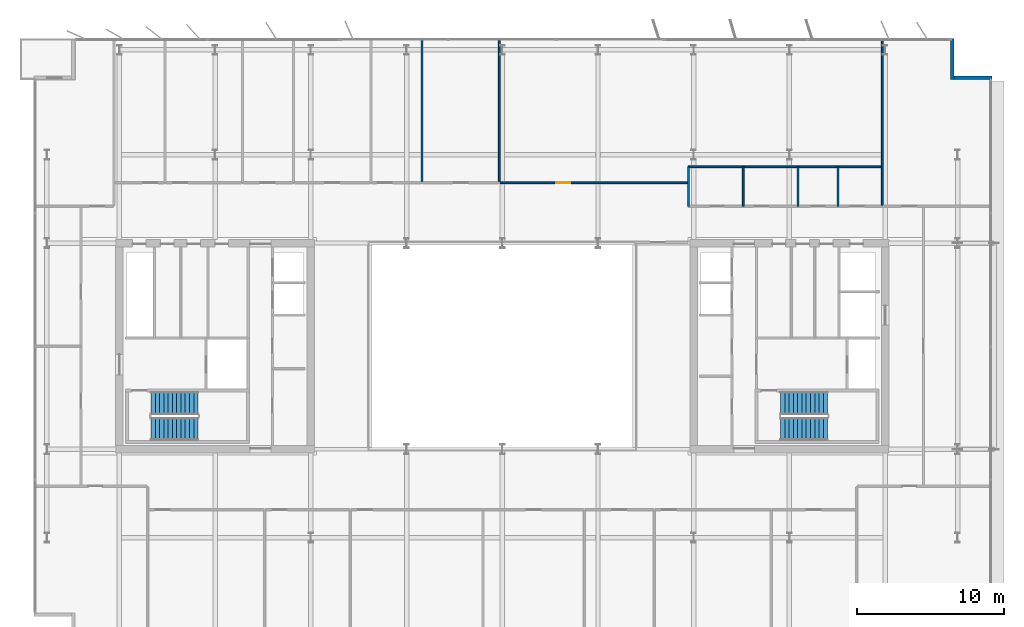
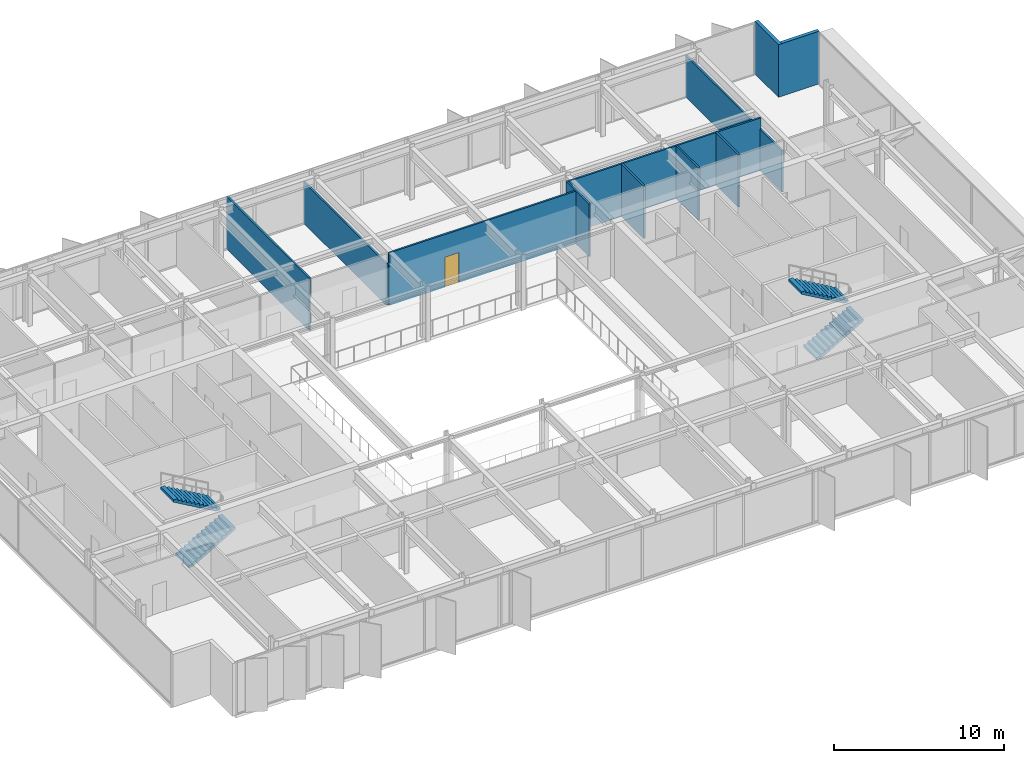
# One storey, part 16 of 21: 11 walls, 4 stair flights, 1 door, 1 opening, 2 elements without a shape of their own.
"""IFC4 building model written with IfcOpenShell, lengths in metres."""

from ifc_helpers import new_model, si_unit, direction, frame, frame_2d, origin, place, context, subcontext, project, spatial, polyline, rectangle, outline, extrude, material, layer, layer_set, type_object, element, fill, aggregate, save


model = new_model("IFC4")

# Units and contexts
model_context = context("Model", 3, precision=1e-05, world=origin(), true_north=direction((0.0, 1.0)))
body_context = subcontext(model_context, "Body", "Model", "MODEL_VIEW")
ifc_project = project(units=[si_unit("LENGTHUNIT", "METRE"), si_unit("AREAUNIT", "SQUARE_METRE"), si_unit("VOLUMEUNIT", "CUBIC_METRE"), si_unit("PLANEANGLEUNIT", "RADIAN"), si_unit("MASSUNIT", "GRAM", prefix="KILO")], contexts=[model_context])

# Site, building, storey
site_placement = place(None, origin())
site = spatial("IfcSite", under=ifc_project, at=site_placement, CompositionType="ELEMENT")
building_placement = place(site_placement, origin())
building = spatial("IfcBuilding", under=site, at=building_placement, Name="Putna Gate Headquarters", CompositionType="ELEMENT")
storey_placement = place(building_placement, frame((0.0, 0.0, 278.39990234375)))
storey = spatial("IfcBuildingStorey", under=building, at=storey_placement, Name="L70", CompositionType="ELEMENT", Elevation=278.39990234375)

# Walls
ifc_material_1 = material(Name="Precast concrete C40/50", Category="concrete")
ifc_layer_1 = layer(ifc_material_1, 0.239990234375)
ifc_layer_set_1 = layer_set([ifc_layer_1], Name="Precast concrete C40/50")
wall_type_1 = type_object("IfcWallType", Name="WALL-EXT-TERR-240", PredefinedType="STANDARD", material=ifc_layer_set_1)
wall_1_placement = place(storey_placement, frame((69.571044921875, 46.89990234375, 0.0), z_axis=(0.0, 0.0, 1.0), x_axis=(0.0, -1.0, 0.0)))
element("IfcWall", 1, at=wall_1_placement, inside=storey, type_object=wall_type_1, Name="L70 Corner Notch Return Wall NE-V", PredefinedType="STANDARD", context=body_context, shape_type="SweptSolid", body=[
    extrude(rectangle(XDim=2.7998046875, YDim=0.239990234375, at=frame_2d((1.39990234375, 0.0))), origin(), (0.0, 0.0, 1.0), 3.7880859375),
])
wall_2_placement = place(storey_placement, frame((69.451171875, 44.219970703125, 0.0), z_axis=(0.0, 0.0, 1.0), x_axis=(1.0, 0.0, 0.0)))
element("IfcWall", 2, at=wall_2_placement, inside=storey, type_object=wall_type_1, Name="L70 Corner Notch Return Wall NE-H", PredefinedType="STANDARD", context=body_context, shape_type="SweptSolid", body=[
    extrude(rectangle(XDim=2.800048828125, YDim=0.239990234375, at=frame_2d((1.39990234375, 0.0))), origin(), (0.0, 0.0, 1.0), 3.7880859375),
])
ifc_material_2 = material(Name="Acoustic gypsum board on metal stud")
ifc_layer_2 = layer(ifc_material_2, 0.1201171875)
ifc_layer_set_2 = layer_set([ifc_layer_2], Name="Acoustic gypsum board on metal stud")
wall_type_2 = type_object("IfcWallType", Name="WALL-PART-120", PredefinedType="PARTITIONING", material=ifc_layer_set_2)
wall_3_placement = place(storey_placement, frame((33.5419921875, 37.159912109375, 0.0), z_axis=(0.0, 0.0, 1.0), x_axis=(0.0, 1.0, 0.0)))
element("IfcWall", 3, at=wall_3_placement, inside=storey, type_object=wall_type_2, Name="L70 Interior Wall PART-L70-NB-DIV-06", PredefinedType="PARTITIONING", context=body_context, shape_type="SweptSolid", body=[
    extrude(rectangle(XDim=9.719970703125, YDim=0.1201171875, at=frame_2d((4.85986328125, 0.0))), origin(), (0.0, 0.0, 1.0), 3.7880859375),
])
wall_4_placement = place(storey_placement, frame((38.800048828125, 37.159912109375, 0.0), z_axis=(0.0, 0.0, 1.0), x_axis=(0.0, 1.0, 0.0)))
element("IfcWall", 4, at=wall_4_placement, inside=storey, type_object=wall_type_2, Name="L70 Interior Wall PART-L70-NB-DIV-07", PredefinedType="PARTITIONING", context=body_context, shape_type="SweptSolid", body=[
    extrude(rectangle(XDim=9.719970703125, YDim=0.1201171875, at=frame_2d((4.85986328125, 0.0))), origin(), (0.0, 0.0, 1.0), 2.988037109375),
])
wall_5_placement = place(storey_placement, frame((64.800048828125, 35.56005859375, 0.0), z_axis=(0.0, 0.0, 1.0), x_axis=(0.0, 1.0, 0.0)))
element("IfcWall", 5, at=wall_5_placement, inside=storey, type_object=wall_type_2, Name="L70 Interior Wall PART-L70-NB-DIV-08", PredefinedType="PARTITIONING", context=body_context, shape_type="SweptSolid", body=[
    extrude(rectangle(XDim=11.31982421875, YDim=0.1201171875, at=frame_2d((5.659912109375, 0.0))), origin(), (0.0, 0.0, 1.0), 2.988037109375),
])
ifc_material_3 = material(Name="Fire-rated gypsum board on metal stud")
ifc_layer_3 = layer(ifc_material_3, 0.1201171875)
ifc_layer_set_3 = layer_set([ifc_layer_3], Name="Fire-rated gypsum board on metal stud")
wall_type_3 = type_object("IfcWallType", Name="WALL-PART-120-RATED", PredefinedType="PARTITIONING", material=ifc_layer_set_3)
wall_6_placement = place(storey_placement, frame((51.639892578125, 38.179931640625, 0.0), z_axis=(0.0, 0.0, 1.0), x_axis=(1.0, 0.0, 0.0)))
element("IfcWall", 6, at=wall_6_placement, inside=storey, type_object=wall_type_3, Name="L70 Interior Wall PART-L70-SAN-BACK", PredefinedType="PARTITIONING", context=body_context, shape_type="SweptSolid", body=[
    extrude(rectangle(XDim=13.16015625, YDim=0.1201171875, at=frame_2d((6.580078125, 0.0))), origin(), (0.0, 0.0, 1.0), 3.7880859375),
])
for number, where, z_axis, x_axis, name in (
    (7, (51.639892578125, 35.5, 0.0), (0.0, 0.0, 1.0), (0.0, 1.0, 0.0), "L70 Interior Wall PART-L70-SAN-DIV-1"),
    (8, (55.360107421875, 35.5, 0.0), (0.0, 0.0, 1.0), (0.0, 1.0, 0.0), "L70 Interior Wall PART-L70-SAN-DIV-2"),
    (9, (59.080078125, 35.5, 0.0), (0.0, 0.0, 1.0), (0.0, 1.0, 0.0), "L70 Interior Wall PART-L70-SAN-DIV-3"),
    (10, (61.800048828125, 35.5, 0.0), (0.0, 0.0, 1.0), (0.0, 1.0, 0.0), "L70 Interior Wall PART-L70-SAN-DIV-4"),
):
    element("IfcWall", number, at=place(storey_placement, frame(where, z_axis=z_axis, x_axis=x_axis)), inside=storey, type_object=wall_type_3, Name=name, PredefinedType="PARTITIONING", context=body_context, shape_type="SweptSolid", body=[
        extrude(rectangle(XDim=2.679931640625, YDim=0.1201171875, at=frame_2d((1.33984375, 0.0))), origin(), (0.0, 0.0, 1.0), 3.7880859375),
    ])

# Wall, opening, door
wall_7_placement = place(storey_placement, frame((38.860107421875, 37.10009765625, 0.0), z_axis=(0.0, 0.0, 1.0), x_axis=(1.0, 0.0, 0.0)))
wall_7 = element("IfcWall", 11, at=wall_7_placement, inside=storey, type_object=wall_type_3, Name="L70 Interior Wall PART-L70-NB-CW-08", PredefinedType="PARTITIONING", context=body_context, shape_type="SweptSolid", body=[
    extrude(rectangle(XDim=12.719970703125, YDim=0.1201171875, at=frame_2d((6.35986328125, 0.0))), origin(), (0.0, 0.0, 1.0), 3.7880859375),
])
opening_placement = place(wall_7_placement, frame((3.81591796875, 0.0, 0.0)))
opening = element("IfcOpeningElement", 12, at=opening_placement, cuts=wall_7, Name="Opening FD-95", PredefinedType="OPENING", context=body_context, shape_type="SweptSolid", body=[
    extrude(rectangle(XDim=0.949951171875, YDim=2.14990234375, at=frame_2d((0.47509765625, 1.074951171875))), frame((0.0, 0.070068359375, 0.0), z_axis=(0.0, -1.0, 0.0), x_axis=(1.0, 0.0, 0.0)), (0.0, 0.0, 1.0), 0.14013671875),
])
ifc_material_4 = material(Name="Acoustic timber fire door", Category="wood")
door_type = type_object("IfcDoorType", Name="DOOR-FIRE-950", OperationType="NOTDEFINED", PredefinedType="DOOR", material=ifc_material_4)
door_placement = place(opening_placement, origin())
door = element("IfcDoor", 13, at=door_placement, inside=storey, type_object=door_type, Name="L70 Primary Open Office Workplace Door", OperationType="SINGLE_SWING_LEFT", OverallHeight=2.14990234375, OverallWidth=0.949951171875, PredefinedType="DOOR", context=body_context, shape_type="SweptSolid", body=[
    extrude(rectangle(XDim=0.949951171875, YDim=2.14990234375, at=frame_2d((0.47509765625, 1.074951171875))), frame((0.0, 0.02490234375, 0.0), z_axis=(0.0, -1.0, 0.0), x_axis=(1.0, 0.0, 0.0)), (0.0, 0.0, 1.0), 0.050048828125),
])
fill(opening, door)

# Stair, stair flights
ifc_material_5 = material(Name="Concrete C40/50", Category="concrete")
stair_type_1 = type_object("IfcStairType", Name="STAIR-ST1", PredefinedType="HALF_TURN_STAIR", material=ifc_material_5)
stair_1_placement = place(storey_placement, origin())
stair_1 = element("IfcStair", 14, at=stair_1_placement, inside=storey, type_object=stair_type_1, Name="L70 West Core Exit Stair ST1", PredefinedType="HALF_TURN_STAIR")
stair_flight_type_1 = type_object("IfcStairFlightType", Name="FLIGHT-ST1", PredefinedType="STRAIGHT", material=ifc_material_5)
stair_flight_1_placement = place(storey_placement, frame((15.14990234375, 20.375, 0.0), z_axis=(0.0, 0.0, 1.0), x_axis=(1.0, 0.0, 0.0)))
stair_flight_1 = element("IfcStairFlight", 15, at=stair_flight_1_placement, type_object=stair_flight_type_1, Name="ST1 flight 1", NumberOfRisers=12, NumberOfTreads=11, PredefinedType="STRAIGHT", RiserHeight=0.166666667, TreadLength=0.29, context=body_context, shape_type="SweptSolid", body=[
    extrude(outline(polyline([(0.0, 0.0), (0.0, 0.166748046875), (0.2900390625, 0.166748046875), (0.2900390625, 0.333251953125), (0.580078125, 0.333251953125), (0.580078125, 0.5), (0.8701171875, 0.5), (0.8701171875, 0.666748046875), (1.159912109375, 0.666748046875), (1.159912109375, 0.833251953125), (1.449951171875, 0.833251953125), (1.449951171875, 1.0), (1.739990234375, 1.0), (1.739990234375, 1.166748046875), (2.030029296875, 1.166748046875), (2.030029296875, 1.333251953125), (2.320068359375, 1.333251953125), (2.320068359375, 1.5), (2.610107421875, 1.5), (2.610107421875, 1.666748046875), (2.89990234375, 1.666748046875), (2.89990234375, 1.833251953125), (3.18994140625, 1.833251953125), (3.18994140625, 2.0), (3.18994140625, 1.660400390625), (0.30078125, 0.0), (0.0, 0.0)])), frame((0.0, 0.77490234375, 0.0), z_axis=(0.0, -1.0, 0.0), x_axis=(1.0, 0.0, 0.0)), (0.0, 0.0, 1.0), 1.550048828125),
])
stair_flight_2_placement = place(storey_placement, frame((18.340087890625, 22.125, 2.0), z_axis=(0.0, 0.0, 1.0), x_axis=(-1.0, 0.0, 0.0)))
stair_flight_2 = element("IfcStairFlight", 16, at=stair_flight_2_placement, type_object=stair_flight_type_1, Name="ST1 flight 2", NumberOfRisers=12, NumberOfTreads=11, PredefinedType="STRAIGHT", RiserHeight=0.166666667, TreadLength=0.29, context=body_context, shape_type="SweptSolid", body=[
    extrude(outline(polyline([(0.0, 0.0), (0.0, 0.166748046875), (0.2900390625, 0.166748046875), (0.2900390625, 0.333251953125), (0.580078125, 0.333251953125), (0.580078125, 0.5), (0.8701171875, 0.5), (0.8701171875, 0.666748046875), (1.159912109375, 0.666748046875), (1.159912109375, 0.833251953125), (1.449951171875, 0.833251953125), (1.449951171875, 1.0), (1.739990234375, 1.0), (1.739990234375, 1.166748046875), (2.030029296875, 1.166748046875), (2.030029296875, 1.333251953125), (2.320068359375, 1.333251953125), (2.320068359375, 1.5), (2.610107421875, 1.5), (2.610107421875, 1.666748046875), (2.89990234375, 1.666748046875), (2.89990234375, 1.833251953125), (3.18994140625, 1.833251953125), (3.18994140625, 2.0), (3.18994140625, 1.660400390625), (0.30078125, 0.0), (0.0, 0.0)])), frame((0.0, 0.77490234375, 0.0), z_axis=(0.0, -1.0, 0.0), x_axis=(1.0, 0.0, 0.0)), (0.0, 0.0, 1.0), 1.550048828125),
])
aggregate(stair_1, [stair_flight_1, stair_flight_2])

stair_type_2 = type_object("IfcStairType", Name="STAIR-ST2", PredefinedType="HALF_TURN_STAIR", material=ifc_material_5)
stair_2_placement = place(storey_placement, origin())
stair_2 = element("IfcStair", 17, at=stair_2_placement, inside=storey, type_object=stair_type_2, Name="L70 East Core Exit Stair ST2", PredefinedType="HALF_TURN_STAIR")
stair_flight_type_2 = type_object("IfcStairFlightType", Name="FLIGHT-ST2", PredefinedType="STRAIGHT", material=ifc_material_5)
stair_flight_3_placement = place(storey_placement, frame((57.89990234375, 20.375, 0.0), z_axis=(0.0, 0.0, 1.0), x_axis=(1.0, 0.0, 0.0)))
stair_flight_3 = element("IfcStairFlight", 18, at=stair_flight_3_placement, type_object=stair_flight_type_2, Name="ST2 flight 1", NumberOfRisers=12, NumberOfTreads=11, PredefinedType="STRAIGHT", RiserHeight=0.166666667, TreadLength=0.29, context=body_context, shape_type="SweptSolid", body=[
    extrude(outline(polyline([(0.0, 0.0), (0.0, 0.166748046875), (0.2900390625, 0.166748046875), (0.2900390625, 0.333251953125), (0.580078125, 0.333251953125), (0.580078125, 0.5), (0.8701171875, 0.5), (0.8701171875, 0.666748046875), (1.159912109375, 0.666748046875), (1.159912109375, 0.833251953125), (1.449951171875, 0.833251953125), (1.449951171875, 1.0), (1.739990234375, 1.0), (1.739990234375, 1.166748046875), (2.030029296875, 1.166748046875), (2.030029296875, 1.333251953125), (2.320068359375, 1.333251953125), (2.320068359375, 1.5), (2.610107421875, 1.5), (2.610107421875, 1.666748046875), (2.89990234375, 1.666748046875), (2.89990234375, 1.833251953125), (3.18994140625, 1.833251953125), (3.18994140625, 2.0), (3.18994140625, 1.660400390625), (0.30078125, 0.0), (0.0, 0.0)])), frame((0.0, 0.77490234375, 0.0), z_axis=(0.0, -1.0, 0.0), x_axis=(1.0, 0.0, 0.0)), (0.0, 0.0, 1.0), 1.550048828125),
])
stair_flight_4_placement = place(storey_placement, frame((61.090087890625, 22.125, 2.0), z_axis=(0.0, 0.0, 1.0), x_axis=(-1.0, 0.0, 0.0)))
stair_flight_4 = element("IfcStairFlight", 19, at=stair_flight_4_placement, type_object=stair_flight_type_2, Name="ST2 flight 2", NumberOfRisers=12, NumberOfTreads=11, PredefinedType="STRAIGHT", RiserHeight=0.166666667, TreadLength=0.29, context=body_context, shape_type="SweptSolid", body=[
    extrude(outline(polyline([(0.0, 0.0), (0.0, 0.166748046875), (0.2900390625, 0.166748046875), (0.2900390625, 0.333251953125), (0.580078125, 0.333251953125), (0.580078125, 0.5), (0.8701171875, 0.5), (0.8701171875, 0.666748046875), (1.159912109375, 0.666748046875), (1.159912109375, 0.833251953125), (1.449951171875, 0.833251953125), (1.449951171875, 1.0), (1.739990234375, 1.0), (1.739990234375, 1.166748046875), (2.030029296875, 1.166748046875), (2.030029296875, 1.333251953125), (2.320068359375, 1.333251953125), (2.320068359375, 1.5), (2.610107421875, 1.5), (2.610107421875, 1.666748046875), (2.89990234375, 1.666748046875), (2.89990234375, 1.833251953125), (3.18994140625, 1.833251953125), (3.18994140625, 2.0), (3.18994140625, 1.660400390625), (0.30078125, 0.0), (0.0, 0.0)])), frame((0.0, 0.77490234375, 0.0), z_axis=(0.0, -1.0, 0.0), x_axis=(1.0, 0.0, 0.0)), (0.0, 0.0, 1.0), 1.550048828125),
])
aggregate(stair_2, [stair_flight_3, stair_flight_4])

save(model, "model.ifc")
